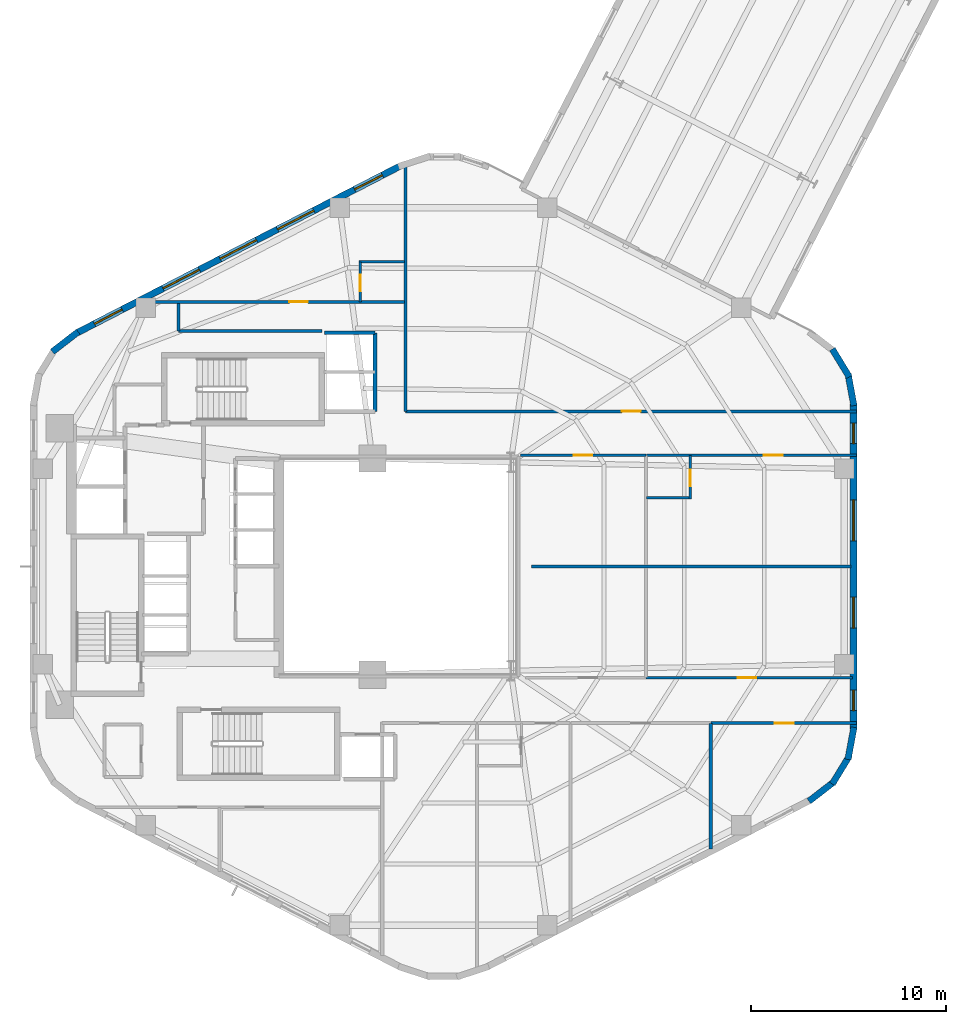
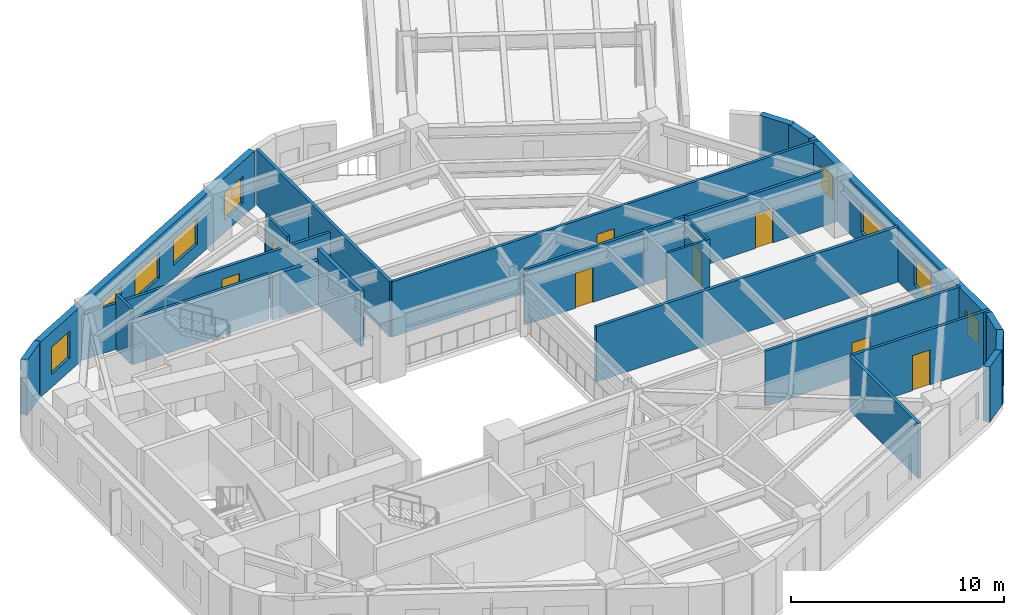
# One storey, part 7 of 10: 25 walls, 9 windows, 8 doors, 17 openings.
"""IFC4 building model written with IfcOpenShell, lengths in metres."""

from ifc_helpers import new_model, si_unit, direction, frame, frame_2d, origin, place, context, subcontext, project, spatial, rectangle, extrude, material, layer, layer_set, type_object, element, fill, save


model = new_model("IFC4")

# Units and contexts
model_context = context("Model", 3, precision=1e-05, world=origin(), true_north=direction((0.0, 1.0)))
body_context = subcontext(model_context, "Body", "Model", "MODEL_VIEW")
ifc_project = project(units=[si_unit("LENGTHUNIT", "METRE"), si_unit("AREAUNIT", "SQUARE_METRE"), si_unit("VOLUMEUNIT", "CUBIC_METRE"), si_unit("PLANEANGLEUNIT", "RADIAN"), si_unit("MASSUNIT", "GRAM", prefix="KILO"), si_unit("THERMODYNAMICTEMPERATUREUNIT", "KELVIN"), si_unit("POWERUNIT", "WATT")], contexts=[model_context])

# Site, building, storey
site_placement = place(None, origin())
site = spatial("IfcSite", under=ifc_project, at=site_placement, CompositionType="ELEMENT")
building_placement = place(site_placement, origin())
building = spatial("IfcBuilding", under=site, at=building_placement, Name="Skarre Station Tower", CompositionType="ELEMENT")
storey_placement = place(building_placement, frame((0.0, 0.0, 115.35009765625)))
storey = spatial("IfcBuildingStorey", under=building, at=storey_placement, Name="L30", CompositionType="ELEMENT", Elevation=115.35009765625)

# Wall, opening, door
ifc_material_1 = material(Name="Acoustic Steel-Stud Gypsum Partition", Category="steel")
ifc_layer_1 = layer(ifc_material_1, 0.14990234375, Name="Acoustic Steel-Stud Gypsum Partition")
ifc_layer_set_1 = layer_set([ifc_layer_1], Name="Acoustic Steel-Stud Gypsum Partition")
wall_type_1 = type_object("IfcWallType", Name="Fire-Rated Corridor Acoustic Partition 150", PredefinedType="PARTITIONING", material=ifc_layer_set_1)
wall_1_placement = place(storey_placement, frame((34.0, 37.580078125, 0.0), z_axis=(0.0, 0.0, 1.0), x_axis=(-1.0, 0.0, 0.0)))
wall_1 = element("IfcWall", 1, at=wall_1_placement, inside=storey, type_object=wall_type_1, Name="L30 Interior Partition WL-PT-L30-NWW1-CW", PredefinedType="PARTITIONING", context=body_context, shape_type="SweptSolid", body=[
    extrude(rectangle(XDim=13.70703125, YDim=0.14990234375, at=frame_2d((6.853515625, 0.0))), origin(), (0.0, 0.0, 1.0), 2.626953125),
])
opening_1_placement = place(wall_1_placement, frame((4.9599609375, 0.0, 0.0)))
opening_1 = element("IfcOpeningElement", 2, at=opening_1_placement, cuts=wall_1, Name="Opening DR-FD60", PredefinedType="OPENING", context=body_context, shape_type="SweptSolid", body=[
    extrude(rectangle(XDim=0.9599609375, YDim=2.0, at=frame_2d((0.47998046875, 1.0))), frame((0.0, 0.0849609375, 0.0), z_axis=(0.0, -1.0, 0.0), x_axis=(1.0, 0.0, 0.0)), (0.0, 0.0, 1.0), 0.169921875),
])
ifc_material_2 = material(Name="Nordic White-Oak Veneer Solid-Core Fire Leaf", Category="wood")
door_type_1 = type_object("IfcDoorType", Name="Corridor Suite Entry Fire Door FD60 960x2150", OperationType="SINGLE_SWING_LEFT", PredefinedType="DOOR", material=ifc_material_2)
door_1_placement = place(opening_1_placement, origin())
door_1 = element("IfcDoor", 3, at=door_1_placement, inside=storey, type_object=door_type_1, Name="L30 NWW1 Entry Door", OperationType="SINGLE_SWING_LEFT", OverallHeight=2.0, OverallWidth=0.9599609375, PredefinedType="DOOR", context=body_context, shape_type="SweptSolid", body=[
    extrude(rectangle(XDim=0.9599609375, YDim=2.0, at=frame_2d((0.47998046875, 1.0))), frame((0.0, 0.02490234375, 0.0), z_axis=(0.0, -1.0, 0.0), x_axis=(1.0, 0.0, 0.0)), (0.0, 0.0, 1.0), 0.050048828125),
])
fill(opening_1, door_1)

wall_2_placement = place(storey_placement, frame((57.2080078125, 31.9599609375, 0.0), z_axis=(0.0, 0.0, 1.0), x_axis=(-1.0, 0.0, 0.0)))
wall_2 = element("IfcWall", 4, at=wall_2_placement, inside=storey, type_object=wall_type_1, Name="L30 Interior Partition WL-PT-L30-NW1-CW", PredefinedType="PARTITIONING", context=body_context, shape_type="SweptSolid", body=[
    extrude(rectangle(XDim=23.16796875, YDim=0.14990234375, at=frame_2d((11.583984375, 0.0))), origin(), (0.0, 0.0, 1.0), 3.159912109375),
])
opening_2_placement = place(wall_2_placement, frame((11.090087890625, 0.0, 0.0)))
opening_2 = element("IfcOpeningElement", 5, at=opening_2_placement, cuts=wall_2, Name="Opening DR-FD60", PredefinedType="OPENING", context=body_context, shape_type="SweptSolid", body=[
    extrude(rectangle(XDim=0.9599609375, YDim=2.0, at=frame_2d((0.47998046875, 1.0))), frame((0.0, 0.0849609375, 0.0), z_axis=(0.0, -1.0, 0.0), x_axis=(1.0, 0.0, 0.0)), (0.0, 0.0, 1.0), 0.169921875),
])
door_2_placement = place(opening_2_placement, origin())
door_2 = element("IfcDoor", 6, at=door_2_placement, inside=storey, type_object=door_type_1, Name="L30 NW1 Entry Door", OperationType="SINGLE_SWING_LEFT", OverallHeight=2.0, OverallWidth=0.9599609375, PredefinedType="DOOR", context=body_context, shape_type="SweptSolid", body=[
    extrude(rectangle(XDim=0.9599609375, YDim=2.0, at=frame_2d((0.47998046875, 1.0))), frame((0.0, 0.02490234375, 0.0), z_axis=(0.0, -1.0, 0.0), x_axis=(1.0, 0.0, 0.0)), (0.0, 0.0, 1.0), 0.050048828125),
])
fill(opening_2, door_2)

wall_3_placement = place(storey_placement, frame((39.949951171875, 29.7099609375, 0.0), z_axis=(0.0, 0.0, 1.0), x_axis=(1.0, 0.0, 0.0)))
wall_3 = element("IfcWall", 7, at=wall_3_placement, inside=storey, type_object=wall_type_1, Name="L30 Interior Partition WL-PT-L30-EWN1-CW", PredefinedType="PARTITIONING", context=body_context, shape_type="SweptSolid", body=[
    extrude(rectangle(XDim=6.43310546875, YDim=0.14990234375, at=frame_2d((3.216552734375, 0.0))), origin(), (0.0, 0.0, 1.0), 3.159912109375),
])
opening_3_placement = place(wall_3_placement, frame((2.736083984375, 0.0, 0.0)))
opening_3 = element("IfcOpeningElement", 8, at=opening_3_placement, cuts=wall_3, Name="Opening DR-FD60", PredefinedType="OPENING", context=body_context, shape_type="SweptSolid", body=[
    extrude(rectangle(XDim=0.9599609375, YDim=2.0, at=frame_2d((0.47998046875, 1.0))), frame((0.0, 0.0849609375, 0.0), z_axis=(0.0, -1.0, 0.0), x_axis=(1.0, 0.0, 0.0)), (0.0, 0.0, 1.0), 0.169921875),
])
door_3_placement = place(opening_3_placement, origin())
door_3 = element("IfcDoor", 9, at=door_3_placement, inside=storey, type_object=door_type_1, Name="L30 EWN1 Entry Door", OperationType="SINGLE_SWING_LEFT", OverallHeight=2.0, OverallWidth=0.9599609375, PredefinedType="DOOR", context=body_context, shape_type="SweptSolid", body=[
    extrude(rectangle(XDim=0.9599609375, YDim=2.0, at=frame_2d((0.47998046875, 1.0))), frame((0.0, 0.02490234375, 0.0), z_axis=(0.0, -1.0, 0.0), x_axis=(1.0, 0.0, 0.0)), (0.0, 0.0, 1.0), 0.050048828125),
])
fill(opening_3, door_3)

wall_4_placement = place(storey_placement, frame((46.4130859375, 29.7099609375, 0.0), z_axis=(0.0, 0.0, 1.0), x_axis=(1.0, 0.0, 0.0)))
wall_4 = element("IfcWall", 10, at=wall_4_placement, inside=storey, type_object=wall_type_1, Name="L30 Interior Partition WL-PT-L30-EWN2-CW", PredefinedType="PARTITIONING", context=body_context, shape_type="SweptSolid", body=[
    extrude(rectangle(XDim=10.794921875, YDim=0.14990234375, at=frame_2d((5.3974609375, 0.0))), origin(), (0.0, 0.0, 1.0), 3.159912109375),
])
opening_4_placement = place(wall_4_placement, frame((6.031982421875, 0.0, 0.0)))
opening_4 = element("IfcOpeningElement", 11, at=opening_4_placement, cuts=wall_4, Name="Opening DR-FD60", PredefinedType="OPENING", context=body_context, shape_type="SweptSolid", body=[
    extrude(rectangle(XDim=0.9599609375, YDim=2.0, at=frame_2d((0.47998046875, 1.0))), frame((0.0, 0.0849609375, 0.0), z_axis=(0.0, -1.0, 0.0), x_axis=(1.0, 0.0, 0.0)), (0.0, 0.0, 1.0), 0.169921875),
])
door_4_placement = place(opening_4_placement, origin())
door_4 = element("IfcDoor", 12, at=door_4_placement, inside=storey, type_object=door_type_1, Name="L30 EWN2 Entry Door", OperationType="SINGLE_SWING_LEFT", OverallHeight=2.0, OverallWidth=0.9599609375, PredefinedType="DOOR", context=body_context, shape_type="SweptSolid", body=[
    extrude(rectangle(XDim=0.9599609375, YDim=2.0, at=frame_2d((0.47998046875, 1.0))), frame((0.0, 0.02490234375, 0.0), z_axis=(0.0, -1.0, 0.0), x_axis=(1.0, 0.0, 0.0)), (0.0, 0.0, 1.0), 0.050048828125),
])
fill(opening_4, door_4)

wall_5_placement = place(storey_placement, frame((56.988037109375, 18.2900390625, 0.0), z_axis=(0.0, 0.0, 1.0), x_axis=(-1.0, 0.0, 0.0)))
wall_5 = element("IfcWall", 13, at=wall_5_placement, inside=storey, type_object=wall_type_1, Name="L30 Interior Partition WL-PT-L30-EWS2-CW", PredefinedType="PARTITIONING", context=body_context, shape_type="SweptSolid", body=[
    extrude(rectangle(XDim=10.5849609375, YDim=0.14990234375, at=frame_2d((5.29248046875, 0.0))), origin(), (0.0, 0.0, 1.0), 3.159912109375),
])
opening_5_placement = place(wall_5_placement, frame((4.931884765625, 0.0, 0.0)))
opening_5 = element("IfcOpeningElement", 14, at=opening_5_placement, cuts=wall_5, Name="Opening DR-FD60", PredefinedType="OPENING", context=body_context, shape_type="SweptSolid", body=[
    extrude(rectangle(XDim=0.9599609375, YDim=2.0, at=frame_2d((0.47998046875, 1.0))), frame((0.0, 0.0849609375, 0.0), z_axis=(0.0, -1.0, 0.0), x_axis=(1.0, 0.0, 0.0)), (0.0, 0.0, 1.0), 0.169921875),
])
door_5_placement = place(opening_5_placement, origin())
door_5 = element("IfcDoor", 15, at=door_5_placement, inside=storey, type_object=door_type_1, Name="L30 EWS2 Entry Door", OperationType="SINGLE_SWING_LEFT", OverallHeight=2.0, OverallWidth=0.9599609375, PredefinedType="DOOR", context=body_context, shape_type="SweptSolid", body=[
    extrude(rectangle(XDim=0.9599609375, YDim=2.0, at=frame_2d((0.47998046875, 1.0))), frame((0.0, 0.02490234375, 0.0), z_axis=(0.0, -1.0, 0.0), x_axis=(1.0, 0.0, 0.0)), (0.0, 0.0, 1.0), 0.050048828125),
])
fill(opening_5, door_5)

wall_6_placement = place(storey_placement, frame((49.737060546875, 15.9599609375, 0.0), z_axis=(0.0, 0.0, 1.0), x_axis=(1.0, 0.0, 0.0)))
wall_6 = element("IfcWall", 16, at=wall_6_placement, inside=storey, type_object=wall_type_1, Name="L30 Interior Partition WL-PT-L30-SW4-CW", PredefinedType="PARTITIONING", context=body_context, shape_type="SweptSolid", body=[
    extrude(rectangle(XDim=7.470947265625, YDim=0.14990234375, at=frame_2d((3.7353515625, 0.0))), origin(), (0.0, 0.0, 1.0), 3.159912109375),
])
opening_6_placement = place(wall_6_placement, frame((3.26904296875, 0.0, 0.0)))
opening_6 = element("IfcOpeningElement", 17, at=opening_6_placement, cuts=wall_6, Name="Opening DR-FD60", PredefinedType="OPENING", context=body_context, shape_type="SweptSolid", body=[
    extrude(rectangle(XDim=0.9599609375, YDim=2.0, at=frame_2d((0.47998046875, 1.0))), frame((0.0, 0.0849609375, 0.0), z_axis=(0.0, -1.0, 0.0), x_axis=(1.0, 0.0, 0.0)), (0.0, 0.0, 1.0), 0.169921875),
])
door_6_placement = place(opening_6_placement, origin())
door_6 = element("IfcDoor", 18, at=door_6_placement, inside=storey, type_object=door_type_1, Name="L30 SW4 Entry Door", OperationType="SINGLE_SWING_LEFT", OverallHeight=2.0, OverallWidth=0.9599609375, PredefinedType="DOOR", context=body_context, shape_type="SweptSolid", body=[
    extrude(rectangle(XDim=0.9599609375, YDim=2.0, at=frame_2d((0.47998046875, 1.0))), frame((0.0, 0.02490234375, 0.0), z_axis=(0.0, -1.0, 0.0), x_axis=(1.0, 0.0, 0.0)), (0.0, 0.0, 1.0), 0.050048828125),
])
fill(opening_6, door_6)

# Walls
wall_7_placement = place(storey_placement, frame((29.7529296875, 36.080078125, 0.0), z_axis=(0.0, 0.0, 1.0), x_axis=(-1.0, 0.0, 0.0)))
element("IfcWall", 19, at=wall_7_placement, inside=storey, type_object=wall_type_1, Name="L30 Interior Partition WL-PT-L30-CSEAL-1", PredefinedType="PARTITIONING", context=body_context, shape_type="SweptSolid", body=[
    extrude(rectangle(XDim=7.35302734375, YDim=0.14990234375, at=frame_2d((3.676513671875, 0.0))), origin(), (0.0, 0.0, 1.0), 2.626953125),
])
wall_8_placement = place(storey_placement, frame((22.39990234375, 36.080078125, 0.0), z_axis=(0.0, 0.0, 1.0), x_axis=(0.0, 1.0, 0.0)))
element("IfcWall", 20, at=wall_8_placement, inside=storey, type_object=wall_type_1, Name="L30 Interior Partition WL-PT-L30-CSEAL-2", PredefinedType="PARTITIONING", context=body_context, shape_type="SweptSolid", body=[
    extrude(rectangle(XDim=1.429931640625, YDim=0.14990234375, at=frame_2d((0.71484375, 0.0))), origin(), (0.0, 0.0, 1.0), 3.159912109375),
])
ifc_material_3 = material(Name="Insulated Timber-Stud Gypsum Partition", Category="wood")
ifc_layer_2 = layer(ifc_material_3, 0.1201171875, Name="Insulated Timber-Stud Gypsum Partition")
ifc_layer_set_2 = layer_set([ifc_layer_2], Name="Insulated Timber-Stud Gypsum Partition")
wall_type_2 = type_object("IfcWallType", Name="Internal Suite Acoustic Partition 120", PredefinedType="PARTITIONING", material=ifc_layer_set_2)
wall_9_placement = place(storey_placement, frame((34.0, 39.639892578125, 0.0), z_axis=(0.0, 0.0, 1.0), x_axis=(-1.0, 0.0, 0.0)))
element("IfcWall", 21, at=wall_9_placement, inside=storey, type_object=wall_type_2, Name="L30 Interior Partition WL-PT-L30-NWW1-EW3", PredefinedType="PARTITIONING", context=body_context, shape_type="SweptSolid", body=[
    extrude(rectangle(XDim=2.340087890625, YDim=0.1201171875, at=frame_2d((1.169921875, 0.0))), origin(), (0.0, 0.0, 1.0), 2.552001953125),
])

# Wall, opening, door
wall_10_placement = place(storey_placement, frame((31.719970703125, 39.639892578125, 0.0), z_axis=(0.0, 0.0, 1.0), x_axis=(0.0, -1.0, 0.0)))
wall_10 = element("IfcWall", 22, at=wall_10_placement, inside=storey, type_object=wall_type_2, Name="L30 Interior Partition WL-PT-L30-NWW1-EW4", PredefinedType="PARTITIONING", context=body_context, shape_type="SweptSolid", body=[
    extrude(rectangle(XDim=2.059814453125, YDim=0.1201171875, at=frame_2d((1.02978515625, 0.0))), origin(), (0.0, 0.0, 1.0), 3.159912109375),
])
opening_7_placement = place(wall_10_placement, frame((0.64990234375, 0.0, 0.0)))
opening_7 = element("IfcOpeningElement", 23, at=opening_7_placement, cuts=wall_10, Name="Opening DR-INT86", PredefinedType="OPENING", context=body_context, shape_type="SweptSolid", body=[
    extrude(rectangle(XDim=0.860107421875, YDim=2.0, at=frame_2d((0.43017578125, 1.0))), frame((0.0, 0.070068359375, 0.0), z_axis=(0.0, -1.0, 0.0), x_axis=(1.0, 0.0, 0.0)), (0.0, 0.0, 1.0), 0.14013671875),
])
ifc_material_4 = material(Name="Nordic Birch Acoustic Solid-Core Timber Leaf", Category="wood")
door_type_2 = type_object("IfcDoorType", Name="Internal En-Suite & Bedroom Door 860x2100", OperationType="SINGLE_SWING_LEFT", PredefinedType="DOOR", material=ifc_material_4)
door_7_placement = place(opening_7_placement, origin())
door_7 = element("IfcDoor", 24, at=door_7_placement, inside=storey, type_object=door_type_2, Name="L30 NWW1 En-suite Door", OperationType="SINGLE_SWING_RIGHT", OverallHeight=2.0, OverallWidth=0.860107421875, PredefinedType="DOOR", context=body_context, shape_type="SweptSolid", body=[
    extrude(rectangle(XDim=0.860107421875, YDim=2.0, at=frame_2d((0.43017578125, 1.0))), frame((0.0, 0.02490234375, 0.0), z_axis=(0.0, -1.0, 0.0), x_axis=(1.0, 0.0, 0.0)), (0.0, 0.0, 1.0), 0.050048828125),
])
fill(opening_7, door_7)

wall_11_placement = place(storey_placement, frame((48.673095703125, 27.469970703125, 0.0), z_axis=(0.0, 0.0, 1.0), x_axis=(0.0, 1.0, 0.0)))
wall_11 = element("IfcWall", 25, at=wall_11_placement, inside=storey, type_object=wall_type_2, Name="L30 Interior Partition WL-PT-L30-EWN2-EW2", PredefinedType="PARTITIONING", context=body_context, shape_type="SweptSolid", body=[
    extrude(rectangle(XDim=2.239990234375, YDim=0.1201171875, at=frame_2d((1.1201171875, 0.0))), origin(), (0.0, 0.0, 1.0), 3.159912109375),
])
opening_8_placement = place(wall_11_placement, frame((0.64990234375, 0.0, 0.0)))
opening_8 = element("IfcOpeningElement", 26, at=opening_8_placement, cuts=wall_11, Name="Opening DR-INT86", PredefinedType="OPENING", context=body_context, shape_type="SweptSolid", body=[
    extrude(rectangle(XDim=0.860107421875, YDim=2.0, at=frame_2d((0.43017578125, 1.0))), frame((0.0, 0.070068359375, 0.0), z_axis=(0.0, -1.0, 0.0), x_axis=(1.0, 0.0, 0.0)), (0.0, 0.0, 1.0), 0.14013671875),
])
door_8_placement = place(opening_8_placement, origin())
door_8 = element("IfcDoor", 27, at=door_8_placement, inside=storey, type_object=door_type_2, Name="L30 EWN2 En-suite Door", OperationType="SINGLE_SWING_RIGHT", OverallHeight=2.0, OverallWidth=0.860107421875, PredefinedType="DOOR", context=body_context, shape_type="SweptSolid", body=[
    extrude(rectangle(XDim=0.860107421875, YDim=2.0, at=frame_2d((0.43017578125, 1.0))), frame((0.0, 0.02490234375, 0.0), z_axis=(0.0, -1.0, 0.0), x_axis=(1.0, 0.0, 0.0)), (0.0, 0.0, 1.0), 0.050048828125),
])
fill(opening_8, door_8)

# Wall
wall_12_placement = place(storey_placement, frame((46.4130859375, 27.530029296875, 0.0), z_axis=(0.0, 0.0, 1.0), x_axis=(1.0, 0.0, 0.0)))
element("IfcWall", 28, at=wall_12_placement, inside=storey, type_object=wall_type_2, Name="L30 Interior Partition WL-PT-L30-EWN2-EW1", PredefinedType="PARTITIONING", context=body_context, shape_type="SweptSolid", body=[
    extrude(rectangle(XDim=2.31982421875, YDim=0.1201171875, at=frame_2d((1.159912109375, 0.0))), origin(), (0.0, 0.0, 1.0), 3.159912109375),
])

# Wall, openings, windows
ifc_material_5 = material(Name="Precast concrete C45/55", Category="concrete")
ifc_layer_3 = layer(ifc_material_5, 0.340087890625, Name="Precast concrete C45/55")
ifc_layer_set_3 = layer_set([ifc_layer_3], Name="Precast concrete C45/55")
wall_type_3 = type_object("IfcWallType", Name="Nordic Honed Precast Facet Wall 340", PredefinedType="STANDARD", material=ifc_layer_set_3)
wall_13_placement = place(storey_placement, frame((17.1689453125, 35.989990234375, 0.0), z_axis=(0.0, 0.0, 1.0), x_axis=(0.888613612362, 0.458656568606, 0.0)))
wall_13 = element("IfcWall", 29, at=wall_13_placement, inside=storey, type_object=wall_type_3, Name="L30 Facet 1 Nordic Precast Masonry Wall", PredefinedType="STANDARD", context=body_context, shape_type="SweptSolid", body=[
    extrude(rectangle(XDim=18.680908203125, YDim=0.340087890625, at=frame_2d((9.34033203125, 0.0))), origin(), (0.0, 0.0, 1.0), 3.159912109375),
])
opening_9_placement = place(wall_13_placement, frame((1.02294921875, 0.0, 0.75)))
opening_9 = element("IfcOpeningElement", 30, at=opening_9_placement, cuts=wall_13, Name="Opening WN-Z2A", PredefinedType="OPENING", context=body_context, shape_type="SweptSolid", body=[
    extrude(rectangle(XDim=1.60009765625, YDim=1.550048828125, at=frame_2d((0.800048828125, 0.77490234375))), frame((0.0, 0.179931640625, 0.0), z_axis=(0.0, -1.0, 0.0), x_axis=(1.0, 0.0, 0.0)), (0.0, 0.0, 1.0), 0.360107421875),
])
opening_10_placement = place(wall_13_placement, frame((4.98095703125, 0.0, 0.75)))
opening_10 = element("IfcOpeningElement", 31, at=opening_10_placement, cuts=wall_13, Name="Opening WN-Z2B", PredefinedType="OPENING", context=body_context, shape_type="SweptSolid", body=[
    extrude(rectangle(XDim=2.10009765625, YDim=1.5, at=frame_2d((1.050048828125, 0.75))), frame((0.0, 0.179931640625, 0.0), z_axis=(0.0, -1.0, 0.0), x_axis=(1.0, 0.0, 0.0)), (0.0, 0.0, 1.0), 0.360107421875),
])
opening_11_placement = place(wall_13_placement, frame((8.2900390625, 0.0, 0.75)))
opening_11 = element("IfcOpeningElement", 32, at=opening_11_placement, cuts=wall_13, Name="Opening WN-Z2B", PredefinedType="OPENING", context=body_context, shape_type="SweptSolid", body=[
    extrude(rectangle(XDim=2.10009765625, YDim=1.5, at=frame_2d((1.050048828125, 0.75))), frame((0.0, 0.179931640625, 0.0), z_axis=(0.0, -1.0, 0.0), x_axis=(1.0, 0.0, 0.0)), (0.0, 0.0, 1.0), 0.360107421875),
])
opening_12_placement = place(wall_13_placement, frame((11.60009765625, 0.0, 0.75)))
opening_12 = element("IfcOpeningElement", 33, at=opening_12_placement, cuts=wall_13, Name="Opening WN-Z2B", PredefinedType="OPENING", context=body_context, shape_type="SweptSolid", body=[
    extrude(rectangle(XDim=2.10009765625, YDim=1.5, at=frame_2d((1.050048828125, 0.75))), frame((0.0, 0.179931640625, 0.0), z_axis=(0.0, -1.0, 0.0), x_axis=(1.0, 0.0, 0.0)), (0.0, 0.0, 1.0), 0.360107421875),
])
opening_13_placement = place(wall_13_placement, frame((16.05810546875, 0.0, 0.75)))
opening_13 = element("IfcOpeningElement", 34, at=opening_13_placement, cuts=wall_13, Name="Opening WN-Z2A", PredefinedType="OPENING", context=body_context, shape_type="SweptSolid", body=[
    extrude(rectangle(XDim=1.60009765625, YDim=1.550048828125, at=frame_2d((0.800048828125, 0.77490234375))), frame((0.0, 0.179931640625, 0.0), z_axis=(0.0, -1.0, 0.0), x_axis=(1.0, 0.0, 0.0)), (0.0, 0.0, 1.0), 0.360107421875),
])
ifc_material_6 = material(Name="Low-Iron Triple Glazing with Bronze Anodized Frame", Category="glass")
window_type_1 = type_object("IfcWindowType", Name="Nordic Residential Tall Window 1600x1550", PartitioningType="SINGLE_PANEL", PredefinedType="WINDOW", material=ifc_material_6)
window_1_placement = place(opening_9_placement, origin())
window_1 = element("IfcWindow", 35, at=window_1_placement, inside=storey, type_object=window_type_1, Name="L30 Facade Window WL-FAC-L30-F1-1", OverallHeight=1.550048828125, OverallWidth=1.60009765625, PartitioningType="SINGLE_PANEL", PredefinedType="WINDOW", context=body_context, shape_type="SweptSolid", body=[
    extrude(rectangle(XDim=1.60009765625, YDim=1.550048828125, at=frame_2d((0.800048828125, 0.77490234375))), frame((0.0, 0.030029296875, 0.0), z_axis=(0.0, -1.0, 0.0), x_axis=(1.0, 0.0, 0.0)), (0.0, 0.0, 1.0), 0.06005859375),
])
fill(opening_9, window_1)
window_2_placement = place(opening_13_placement, origin())
window_2 = element("IfcWindow", 36, at=window_2_placement, inside=storey, type_object=window_type_1, Name="L30 Facade Window WL-FAC-L30-F1-5", OverallHeight=1.550048828125, OverallWidth=1.60009765625, PartitioningType="SINGLE_PANEL", PredefinedType="WINDOW", context=body_context, shape_type="SweptSolid", body=[
    extrude(rectangle(XDim=1.60009765625, YDim=1.550048828125, at=frame_2d((0.800048828125, 0.77490234375))), frame((0.0, 0.030029296875, 0.0), z_axis=(0.0, -1.0, 0.0), x_axis=(1.0, 0.0, 0.0)), (0.0, 0.0, 1.0), 0.06005859375),
])
fill(opening_13, window_2)
window_type_2 = type_object("IfcWindowType", Name="Nordic Residential Twin Window 2100x1500", PartitioningType="SINGLE_PANEL", PredefinedType="WINDOW", material=ifc_material_6)
window_3_placement = place(opening_10_placement, origin())
window_3 = element("IfcWindow", 37, at=window_3_placement, inside=storey, type_object=window_type_2, Name="L30 Facade Window WL-FAC-L30-F1-2", OverallHeight=1.5, OverallWidth=2.10009765625, PartitioningType="SINGLE_PANEL", PredefinedType="WINDOW", context=body_context, shape_type="SweptSolid", body=[
    extrude(rectangle(XDim=2.10009765625, YDim=1.5, at=frame_2d((1.050048828125, 0.75))), frame((0.0, 0.030029296875, 0.0), z_axis=(0.0, -1.0, 0.0), x_axis=(1.0, 0.0, 0.0)), (0.0, 0.0, 1.0), 0.06005859375),
])
fill(opening_10, window_3)
window_4_placement = place(opening_11_placement, origin())
window_4 = element("IfcWindow", 38, at=window_4_placement, inside=storey, type_object=window_type_2, Name="L30 Facade Window WL-FAC-L30-F1-3", OverallHeight=1.5, OverallWidth=2.10009765625, PartitioningType="SINGLE_PANEL", PredefinedType="WINDOW", context=body_context, shape_type="SweptSolid", body=[
    extrude(rectangle(XDim=2.10009765625, YDim=1.5, at=frame_2d((1.050048828125, 0.75))), frame((0.0, 0.030029296875, 0.0), z_axis=(0.0, -1.0, 0.0), x_axis=(1.0, 0.0, 0.0)), (0.0, 0.0, 1.0), 0.06005859375),
])
fill(opening_11, window_4)
window_5_placement = place(opening_12_placement, origin())
window_5 = element("IfcWindow", 39, at=window_5_placement, inside=storey, type_object=window_type_2, Name="L30 Facade Window WL-FAC-L30-F1-4", OverallHeight=1.5, OverallWidth=2.10009765625, PartitioningType="SINGLE_PANEL", PredefinedType="WINDOW", context=body_context, shape_type="SweptSolid", body=[
    extrude(rectangle(XDim=2.10009765625, YDim=1.5, at=frame_2d((1.050048828125, 0.75))), frame((0.0, 0.030029296875, 0.0), z_axis=(0.0, -1.0, 0.0), x_axis=(1.0, 0.0, 0.0)), (0.0, 0.0, 1.0), 0.06005859375),
])
fill(opening_12, window_5)

wall_14_placement = place(storey_placement, frame((57.048095703125, 32.35205078125, 0.0), z_axis=(0.0, 0.0, 1.0), x_axis=(0.0, -1.0, 0.0)))
wall_14 = element("IfcWall", 40, at=wall_14_placement, inside=storey, type_object=wall_type_3, Name="L30 Facet 5 Nordic Precast Masonry Wall", PredefinedType="STANDARD", context=body_context, shape_type="SweptSolid", body=[
    extrude(rectangle(XDim=16.7041015625, YDim=0.340087890625, at=frame_2d((8.35205078125, 0.0))), origin(), (0.0, 0.0, 1.0), 3.159912109375),
])
opening_14_placement = place(wall_14_placement, frame((0.991943359375, 0.0, 0.75)))
opening_14 = element("IfcOpeningElement", 41, at=opening_14_placement, cuts=wall_14, Name="Opening WN-SLT", PredefinedType="OPENING", context=body_context, shape_type="SweptSolid", body=[
    extrude(rectangle(XDim=1.050048828125, YDim=1.39990234375, at=frame_2d((0.52490234375, 0.699951171875))), frame((0.0, 0.179931640625, 0.0), z_axis=(0.0, -1.0, 0.0), x_axis=(1.0, 0.0, 0.0)), (0.0, 0.0, 1.0), 0.360107421875),
])
opening_15_placement = place(wall_14_placement, frame((4.93505859375, 0.0, 0.75)))
opening_15 = element("IfcOpeningElement", 42, at=opening_15_placement, cuts=wall_14, Name="Opening WN-Z2B", PredefinedType="OPENING", context=body_context, shape_type="SweptSolid", body=[
    extrude(rectangle(XDim=2.10009765625, YDim=1.5, at=frame_2d((1.050048828125, 0.75))), frame((0.0, 0.179931640625, 0.0), z_axis=(0.0, -1.0, 0.0), x_axis=(1.0, 0.0, 0.0)), (0.0, 0.0, 1.0), 0.360107421875),
])
opening_16_placement = place(wall_14_placement, frame((9.9189453125, 0.0, 0.75)))
opening_16 = element("IfcOpeningElement", 43, at=opening_16_placement, cuts=wall_14, Name="Opening WN-Z2A", PredefinedType="OPENING", context=body_context, shape_type="SweptSolid", body=[
    extrude(rectangle(XDim=1.60009765625, YDim=1.550048828125, at=frame_2d((0.800048828125, 0.77490234375))), frame((0.0, 0.179931640625, 0.0), z_axis=(0.0, -1.0, 0.0), x_axis=(1.0, 0.0, 0.0)), (0.0, 0.0, 1.0), 0.360107421875),
])
opening_17_placement = place(wall_14_placement, frame((14.701904296875, 0.0, 0.75)))
opening_17 = element("IfcOpeningElement", 44, at=opening_17_placement, cuts=wall_14, Name="Opening WN-SLT", PredefinedType="OPENING", context=body_context, shape_type="SweptSolid", body=[
    extrude(rectangle(XDim=1.050048828125, YDim=1.39990234375, at=frame_2d((0.52490234375, 0.699951171875))), frame((0.0, 0.179931640625, 0.0), z_axis=(0.0, -1.0, 0.0), x_axis=(1.0, 0.0, 0.0)), (0.0, 0.0, 1.0), 0.360107421875),
])
window_type_3 = type_object("IfcWindowType", Name="Nordic Corner Slot Window 1050x1400", PartitioningType="SINGLE_PANEL", PredefinedType="WINDOW", material=ifc_material_6)
window_6_placement = place(opening_14_placement, origin())
window_6 = element("IfcWindow", 45, at=window_6_placement, inside=storey, type_object=window_type_3, Name="L30 Facade Window WL-FAC-L30-F5-1", OverallHeight=1.39990234375, OverallWidth=1.050048828125, PartitioningType="SINGLE_PANEL", PredefinedType="WINDOW", context=body_context, shape_type="SweptSolid", body=[
    extrude(rectangle(XDim=1.050048828125, YDim=1.39990234375, at=frame_2d((0.52490234375, 0.699951171875))), frame((0.0, 0.030029296875, 0.0), z_axis=(0.0, -1.0, 0.0), x_axis=(1.0, 0.0, 0.0)), (0.0, 0.0, 1.0), 0.06005859375),
])
fill(opening_14, window_6)
window_7_placement = place(opening_17_placement, origin())
window_7 = element("IfcWindow", 46, at=window_7_placement, inside=storey, type_object=window_type_3, Name="L30 Facade Window WL-FAC-L30-F5-4", OverallHeight=1.39990234375, OverallWidth=1.050048828125, PartitioningType="SINGLE_PANEL", PredefinedType="WINDOW", context=body_context, shape_type="SweptSolid", body=[
    extrude(rectangle(XDim=1.050048828125, YDim=1.39990234375, at=frame_2d((0.52490234375, 0.699951171875))), frame((0.0, 0.030029296875, 0.0), z_axis=(0.0, -1.0, 0.0), x_axis=(1.0, 0.0, 0.0)), (0.0, 0.0, 1.0), 0.06005859375),
])
fill(opening_17, window_7)
window_8_placement = place(opening_16_placement, origin())
window_8 = element("IfcWindow", 47, at=window_8_placement, inside=storey, type_object=window_type_1, Name="L30 Facade Window WL-FAC-L30-F5-3", OverallHeight=1.550048828125, OverallWidth=1.60009765625, PartitioningType="SINGLE_PANEL", PredefinedType="WINDOW", context=body_context, shape_type="SweptSolid", body=[
    extrude(rectangle(XDim=1.60009765625, YDim=1.550048828125, at=frame_2d((0.800048828125, 0.77490234375))), frame((0.0, 0.030029296875, 0.0), z_axis=(0.0, -1.0, 0.0), x_axis=(1.0, 0.0, 0.0)), (0.0, 0.0, 1.0), 0.06005859375),
])
fill(opening_16, window_8)
window_9_placement = place(opening_15_placement, origin())
window_9 = element("IfcWindow", 48, at=window_9_placement, inside=storey, type_object=window_type_2, Name="L30 Facade Window WL-FAC-L30-F5-2", OverallHeight=1.5, OverallWidth=2.10009765625, PartitioningType="SINGLE_PANEL", PredefinedType="WINDOW", context=body_context, shape_type="SweptSolid", body=[
    extrude(rectangle(XDim=2.10009765625, YDim=1.5, at=frame_2d((1.050048828125, 0.75))), frame((0.0, 0.030029296875, 0.0), z_axis=(0.0, -1.0, 0.0), x_axis=(1.0, 0.0, 0.0)), (0.0, 0.0, 1.0), 0.06005859375),
])
fill(opening_15, window_9)

# Walls
ifc_layer_4 = layer(ifc_material_5, 0.330078125, Name="Precast concrete C45/55")
ifc_layer_set_4 = layer_set([ifc_layer_4], Name="Precast concrete C45/55")
wall_type_4 = type_object("IfcWallType", Name="Nordic Rounded Corner Precast Wall 330", PredefinedType="STANDARD", material=ifc_layer_set_4)
wall_15_placement = place(storey_placement, frame((55.95703125, 35.1640625, 0.0), z_axis=(0.0, 0.0, 1.0), x_axis=(0.520519429557, -0.853849824883, 0.0)))
element("IfcWall", 49, at=wall_15_placement, inside=storey, type_object=wall_type_4, Name="L30 Rounded Corner Precast Wall F0-2", PredefinedType="STANDARD", context=body_context, shape_type="SweptSolid", body=[
    extrude(rectangle(XDim=1.67724609375, YDim=0.330078125, at=frame_2d((0.838623046875, 0.0))), origin(), (0.0, 0.0, 1.0), 3.159912109375),
])
wall_16_placement = place(storey_placement, frame((56.762939453125, 33.906982421875, 0.0), z_axis=(0.0, 0.0, 1.0), x_axis=(0.181984991895, -0.983301308209, 0.0)))
element("IfcWall", 50, at=wall_16_placement, inside=storey, type_object=wall_type_4, Name="L30 Rounded Corner Precast Wall F0-3", PredefinedType="STANDARD", context=body_context, shape_type="SweptSolid", body=[
    extrude(rectangle(XDim=1.677001953125, YDim=0.330078125, at=frame_2d((0.83837890625, 0.0))), origin(), (0.0, 0.0, 1.0), 3.159912109375),
])
wall_17_placement = place(storey_placement, frame((15.91796875, 35.02392578125, 0.0), z_axis=(0.0, 0.0, 1.0), x_axis=(0.790621329885, 0.612305408053, 0.0)))
element("IfcWall", 51, at=wall_17_placement, inside=storey, type_object=wall_type_4, Name="L30 Rounded Corner Precast Wall F2-3", PredefinedType="STANDARD", context=body_context, shape_type="SweptSolid", body=[
    extrude(rectangle(XDim=1.67578125, YDim=0.330078125, at=frame_2d((0.837890625, 0.0))), origin(), (0.0, 0.0, 1.0), 3.159912109375),
])
wall_18_placement = place(storey_placement, frame((57.068115234375, 15.741943359375, 0.0), z_axis=(0.0, 0.0, 1.0), x_axis=(-0.181984991895, -0.983301308209, 0.0)))
element("IfcWall", 52, at=wall_18_placement, inside=storey, type_object=wall_type_4, Name="L30 Rounded Corner Precast Wall F5-1", PredefinedType="STANDARD", context=body_context, shape_type="SweptSolid", body=[
    extrude(rectangle(XDim=1.677001953125, YDim=0.330078125, at=frame_2d((0.83837890625, 0.0))), origin(), (0.0, 0.0, 1.0), 3.159912109375),
])
wall_19_placement = place(storey_placement, frame((56.830078125, 14.26806640625, 0.0), z_axis=(0.0, 0.0, 1.0), x_axis=(-0.520519429557, -0.853849824883, 0.0)))
element("IfcWall", 53, at=wall_19_placement, inside=storey, type_object=wall_type_4, Name="L30 Rounded Corner Precast Wall F5-2", PredefinedType="STANDARD", context=body_context, shape_type="SweptSolid", body=[
    extrude(rectangle(XDim=1.67724609375, YDim=0.330078125, at=frame_2d((0.838623046875, 0.0))), origin(), (0.0, 0.0, 1.0), 3.159912109375),
])
wall_20_placement = place(storey_placement, frame((56.08203125, 12.97607421875, 0.0), z_axis=(0.0, 0.0, 1.0), x_axis=(-0.790621329885, -0.612305408053, 0.0)))
element("IfcWall", 54, at=wall_20_placement, inside=storey, type_object=wall_type_4, Name="L30 Rounded Corner Precast Wall F5-3", PredefinedType="STANDARD", context=body_context, shape_type="SweptSolid", body=[
    extrude(rectangle(XDim=1.67578125, YDim=0.330078125, at=frame_2d((0.837890625, 0.0))), origin(), (0.0, 0.0, 1.0), 3.159912109375),
])
ifc_material_7 = material(Name="Gypsum Concrete Shaft Assembly C30/37", Category="concrete")
ifc_layer_5 = layer(ifc_material_7, 0.199951171875, Name="Gypsum Concrete Shaft Assembly C30/37")
ifc_layer_set_5 = layer_set([ifc_layer_5], Name="Gypsum Concrete Shaft Assembly C30/37")
wall_type_5 = type_object("IfcWallType", Name="Shaft & Core Fire Partition 200", PredefinedType="PARTITIONING", material=ifc_layer_set_5)
wall_21_placement = place(storey_placement, frame((32.47998046875, 31.949951171875, 0.0), z_axis=(0.0, 0.0, 1.0), x_axis=(0.0, 1.0, 0.0)))
element("IfcWall", 55, at=wall_21_placement, inside=storey, type_object=wall_type_5, Name="L30 Interior Partition WL-PT-L30-EX-E", PredefinedType="PARTITIONING", context=body_context, shape_type="SweptSolid", body=[
    extrude(rectangle(XDim=4.050048828125, YDim=0.199951171875, at=frame_2d((2.02490234375, 0.0))), origin(), (0.0, 0.0, 1.0), 3.159912109375),
])
wall_22_placement = place(storey_placement, frame((29.8798828125, 36.0, 0.0), z_axis=(0.0, 0.0, 1.0), x_axis=(1.0, 0.0, 0.0)))
element("IfcWall", 56, at=wall_22_placement, inside=storey, type_object=wall_type_5, Name="L30 Interior Partition WL-PT-L30-EX-N", PredefinedType="PARTITIONING", context=body_context, shape_type="SweptSolid", body=[
    extrude(rectangle(XDim=2.60009765625, YDim=0.199951171875, at=frame_2d((1.300048828125, 0.0))), origin(), (0.0, 0.0, 1.0), 2.552001953125),
])
ifc_layer_6 = layer(ifc_material_1, 0.1650390625, Name="Acoustic Steel-Stud Gypsum Partition")
ifc_layer_set_6 = layer_set([ifc_layer_6], Name="Acoustic Steel-Stud Gypsum Partition")
wall_type_6 = type_object("IfcWallType", Name="Suite Demising Acoustic Partition 165", PredefinedType="PARTITIONING", material=ifc_layer_set_6)
wall_23_placement = place(storey_placement, frame((34.0400390625, 31.9599609375, 0.0), z_axis=(0.0, 0.0, 1.0), x_axis=(0.0, 1.0, 0.0)))
element("IfcWall", 57, at=wall_23_placement, inside=storey, type_object=wall_type_6, Name="L30 Interior Partition WL-PT-L30-NW-WBND", PredefinedType="PARTITIONING", context=body_context, shape_type="SweptSolid", body=[
    extrude(rectangle(XDim=12.55810546875, YDim=0.1650390625, at=frame_2d((6.279052734375, 0.0))), origin(), (0.0, 0.0, 1.0), 3.159912109375),
])
wall_24_placement = place(storey_placement, frame((40.52001953125, 24.0, 0.0), z_axis=(0.0, 0.0, 1.0), x_axis=(1.0, 0.0, 0.0)))
element("IfcWall", 58, at=wall_24_placement, inside=storey, type_object=wall_type_6, Name="L30 Interior Partition WL-PT-L30-EW-Z2MID", PredefinedType="PARTITIONING", context=body_context, shape_type="SweptSolid", body=[
    extrude(rectangle(XDim=16.407958984375, YDim=0.1650390625, at=frame_2d((8.2041015625, 0.0))), origin(), (0.0, 0.0, 1.0), 3.159912109375),
])
wall_25_placement = place(storey_placement, frame((49.718994140625, 9.507080078125, 0.0), z_axis=(0.0, 0.0, 1.0), x_axis=(0.0, 1.0, 0.0)))
element("IfcWall", 59, at=wall_25_placement, inside=storey, type_object=wall_type_6, Name="L30 Interior Partition WL-PT-L30-SW-P3", PredefinedType="PARTITIONING", context=body_context, shape_type="SweptSolid", body=[
    extrude(rectangle(XDim=6.4228515625, YDim=0.1650390625, at=frame_2d((3.21142578125, 0.0))), origin(), (0.0, 0.0, 1.0), 3.159912109375),
])

save(model, "model.ifc")
